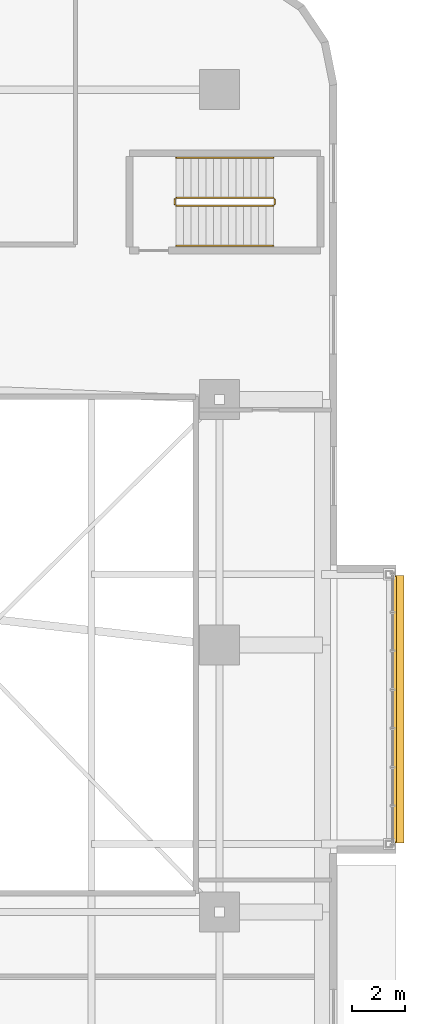
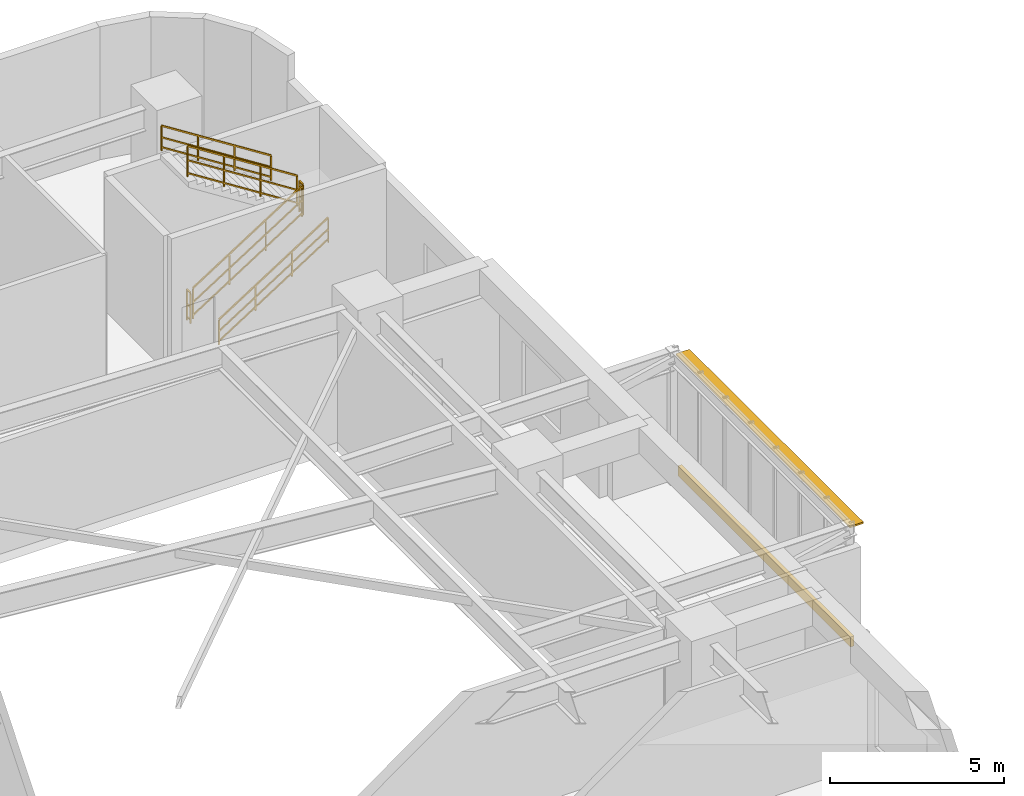
# One storey, part 26 of 26: 6 railings, 2 shading devices.
"""IFC4 building model written with IfcOpenShell, lengths in metres."""

from ifc_helpers import new_model, si_unit, direction, frame, origin, origin_2d, place, context, subcontext, project, spatial, rectangle, extrude, material, layer, layer_set, type_object, element, save


model = new_model("IFC4")

# Units and contexts
model_context = context("Model", 3, precision=1e-05, world=origin(), true_north=direction((0.0, 1.0)))
body_context = subcontext(model_context, "Body", "Model", "MODEL_VIEW")
ifc_project = project(units=[si_unit("LENGTHUNIT", "METRE"), si_unit("AREAUNIT", "SQUARE_METRE"), si_unit("VOLUMEUNIT", "CUBIC_METRE"), si_unit("PLANEANGLEUNIT", "RADIAN"), si_unit("MASSUNIT", "GRAM", prefix="KILO")], contexts=[model_context])

# Site, building, storey
site_placement = place(None, origin())
site = spatial("IfcSite", under=ifc_project, at=site_placement, CompositionType="ELEMENT")
building_placement = place(site_placement, origin())
building = spatial("IfcBuilding", under=site, at=building_placement, Name="Zulverin Broadcast Headquarters", CompositionType="ELEMENT")
storey_placement = place(building_placement, frame((0.0, 0.0, 15.0)))
storey = spatial("IfcBuildingStorey", under=building, at=storey_placement, Name="L03", CompositionType="ELEMENT", Elevation=15.0)

# Railings
ifc_material_1 = material(Name="Painted galvanized steel tubular guardrail S355JR", Category="steel")
railing_type_1 = type_object("IfcRailingType", Name="RL-ST-GUARD", PredefinedType="GUARDRAIL", material=ifc_material_1)
railing_1_placement = place(storey_placement, frame((67.969970703125, 41.64990234375, 0.178466796875)))
element("IfcRailing", 1, at=railing_1_placement, inside=storey, type_object=railing_type_1, Name="L03 ST-4 stair guard 1", PredefinedType="GUARDRAIL", context=body_context, shape_type="SweptSolid", body=[
    extrude(rectangle(XDim=0.048095703125, YDim=0.048095703125, at=origin_2d()), frame((0.0, 0.0, 1.076171875), z_axis=(0.843127859045, 0.0, 0.537713132908), x_axis=(0.0, 1.0, 0.0)), (0.0, 0.0, 1.0), 4.3173828125),
    extrude(rectangle(XDim=0.0419921875, YDim=0.0419921875, at=origin_2d()), frame((0.0, 0.0, 0.572021484375), z_axis=(0.843127859045, 0.0, 0.537713132908), x_axis=(0.0, 1.0, 0.0)), (0.0, 0.0, 1.0), 4.3173828125),
    extrude(rectangle(XDim=0.0419921875, YDim=0.0419921875, at=origin_2d()), frame((0.0, 0.0, 0.1201171875), z_axis=(0.843127859045, 0.0, 0.537713132908), x_axis=(0.0, 1.0, 0.0)), (0.0, 0.0, 1.0), 4.3173828125),
    extrude(rectangle(XDim=0.0419921875, YDim=0.0419921875, at=origin_2d()), origin(), (0.0, 0.0, 1.0), 1.052001953125),
    extrude(rectangle(XDim=0.0419921875, YDim=0.0419921875, at=origin_2d()), frame((1.21337890625, 0.0, 0.77392578125)), (0.0, 0.0, 1.0), 1.052001953125),
    extrude(rectangle(XDim=0.0419921875, YDim=0.0419921875, at=origin_2d()), frame((2.4267578125, 0.0, 1.547607421875)), (0.0, 0.0, 1.0), 1.052001953125),
    extrude(rectangle(XDim=0.0419921875, YDim=0.0419921875, at=origin_2d()), frame((3.64013671875, 0.0, 2.321533203125)), (0.0, 0.0, 1.0), 1.052001953125),
])
railing_2_placement = place(storey_placement, frame((71.659912109375, 41.699951171875, 2.5)))
element("IfcRailing", 2, at=railing_2_placement, inside=storey, type_object=railing_type_1, Name="L03 ST-4 stair guard 2", PredefinedType="GUARDRAIL", context=body_context, shape_type="SweptSolid", body=[
    extrude(rectangle(XDim=0.048095703125, YDim=0.048095703125, at=origin_2d()), frame((0.0, 0.0, 1.076171875), z_axis=(0.0, 1.0, 0.0), x_axis=(-1.0, 0.0, 0.0)), (0.0, 0.0, 1.0), 0.199951171875),
    extrude(rectangle(XDim=0.0419921875, YDim=0.0419921875, at=origin_2d()), frame((0.0, 0.0, 0.572021484375), z_axis=(0.0, 1.0, 0.0), x_axis=(-1.0, 0.0, 0.0)), (0.0, 0.0, 1.0), 0.199951171875),
    extrude(rectangle(XDim=0.0419921875, YDim=0.0419921875, at=origin_2d()), frame((0.0, 0.0, 0.1201171875), z_axis=(0.0, 1.0, 0.0), x_axis=(-1.0, 0.0, 0.0)), (0.0, 0.0, 1.0), 0.199951171875),
    extrude(rectangle(XDim=0.0419921875, YDim=0.0419921875, at=origin_2d()), origin(), (0.0, 0.0, 1.0), 1.052001953125),
    extrude(rectangle(XDim=0.0419921875, YDim=0.0419921875, at=origin_2d()), frame((0.0, 0.199951171875, 0.0)), (0.0, 0.0, 1.0), 1.052001953125),
])
railing_3_placement = place(storey_placement, frame((71.610107421875, 41.949951171875, 2.678466796875)))
element("IfcRailing", 3, at=railing_3_placement, inside=storey, type_object=railing_type_1, Name="L03 ST-4 stair guard 3", PredefinedType="GUARDRAIL", context=body_context, shape_type="SweptSolid", body=[
    extrude(rectangle(XDim=0.048095703125, YDim=0.048095703125, at=origin_2d()), frame((0.0, 0.0, 1.076171875), z_axis=(-0.843127859045, 0.0, 0.537713132908), x_axis=(0.0, -1.0, 0.0)), (0.0, 0.0, 1.0), 4.3173828125),
    extrude(rectangle(XDim=0.0419921875, YDim=0.0419921875, at=origin_2d()), frame((0.0, 0.0, 0.572021484375), z_axis=(-0.843127859045, 0.0, 0.537713132908), x_axis=(0.0, -1.0, 0.0)), (0.0, 0.0, 1.0), 4.3173828125),
    extrude(rectangle(XDim=0.0419921875, YDim=0.0419921875, at=origin_2d()), frame((0.0, 0.0, 0.1201171875), z_axis=(-0.843127859045, 0.0, 0.537713132908), x_axis=(0.0, -1.0, 0.0)), (0.0, 0.0, 1.0), 4.3173828125),
    extrude(rectangle(XDim=0.0419921875, YDim=0.0419921875, at=origin_2d()), origin(), (0.0, 0.0, 1.0), 1.052001953125),
    extrude(rectangle(XDim=0.0419921875, YDim=0.0419921875, at=origin_2d()), frame((-1.21337890625, 0.0, 0.77392578125)), (0.0, 0.0, 1.0), 1.052001953125),
    extrude(rectangle(XDim=0.0419921875, YDim=0.0419921875, at=origin_2d()), frame((-2.4267578125, 0.0, 1.547607421875)), (0.0, 0.0, 1.0), 1.052001953125),
    extrude(rectangle(XDim=0.0419921875, YDim=0.0419921875, at=origin_2d()), frame((-3.64013671875, 0.0, 2.321533203125)), (0.0, 0.0, 1.0), 1.052001953125),
])
railing_4_placement = place(storey_placement, frame((67.919921875, 41.699951171875, 0.0)))
element("IfcRailing", 4, at=railing_4_placement, inside=storey, type_object=railing_type_1, Name="L03 ST-4 stair guard 4", PredefinedType="GUARDRAIL", context=body_context, shape_type="SweptSolid", body=[
    extrude(rectangle(XDim=0.048095703125, YDim=0.048095703125, at=origin_2d()), frame((0.0, 0.0, 1.076171875), z_axis=(0.0, 1.0, 0.0), x_axis=(-1.0, 0.0, 0.0)), (0.0, 0.0, 1.0), 0.199951171875),
    extrude(rectangle(XDim=0.0419921875, YDim=0.0419921875, at=origin_2d()), frame((0.0, 0.0, 0.572021484375), z_axis=(0.0, 1.0, 0.0), x_axis=(-1.0, 0.0, 0.0)), (0.0, 0.0, 1.0), 0.199951171875),
    extrude(rectangle(XDim=0.0419921875, YDim=0.0419921875, at=origin_2d()), frame((0.0, 0.0, 0.1201171875), z_axis=(0.0, 1.0, 0.0), x_axis=(-1.0, 0.0, 0.0)), (0.0, 0.0, 1.0), 0.199951171875),
    extrude(rectangle(XDim=0.0419921875, YDim=0.0419921875, at=origin_2d()), origin(), (0.0, 0.0, 1.0), 1.052001953125),
    extrude(rectangle(XDim=0.0419921875, YDim=0.0419921875, at=origin_2d()), frame((0.0, 0.199951171875, 0.0)), (0.0, 0.0, 1.0), 1.052001953125),
])
ifc_material_2 = material(Name="Brushed stainless steel 48 mm handrail", Category="steel")
railing_type_2 = type_object("IfcRailingType", Name="RL-ST-HAND", PredefinedType="HANDRAIL", material=ifc_material_2)
railing_5_placement = place(storey_placement, frame((67.969970703125, 40.14990234375, 0.178466796875)))
element("IfcRailing", 5, at=railing_5_placement, inside=storey, type_object=railing_type_2, Name="L03 ST-4 stair handrail 1", PredefinedType="HANDRAIL", context=body_context, shape_type="SweptSolid", body=[
    extrude(rectangle(XDim=0.048095703125, YDim=0.048095703125, at=origin_2d()), frame((0.0, 0.0, 0.8759765625), z_axis=(0.843127859045, 0.0, 0.537713132908), x_axis=(0.0, 1.0, 0.0)), (0.0, 0.0, 1.0), 4.3173828125),
    extrude(rectangle(XDim=0.0419921875, YDim=0.0419921875, at=origin_2d()), frame((0.0, 0.0, 0.468017578125), z_axis=(0.843127859045, 0.0, 0.537713132908), x_axis=(0.0, 1.0, 0.0)), (0.0, 0.0, 1.0), 4.3173828125),
    extrude(rectangle(XDim=0.0419921875, YDim=0.0419921875, at=origin_2d()), frame((0.0, 0.0, 0.1201171875), z_axis=(0.843127859045, 0.0, 0.537713132908), x_axis=(0.0, 1.0, 0.0)), (0.0, 0.0, 1.0), 4.3173828125),
    extrude(rectangle(XDim=0.0419921875, YDim=0.0419921875, at=origin_2d()), origin(), (0.0, 0.0, 1.0), 0.851806640625),
    extrude(rectangle(XDim=0.0419921875, YDim=0.0419921875, at=origin_2d()), frame((1.21337890625, 0.0, 0.77392578125)), (0.0, 0.0, 1.0), 0.851806640625),
    extrude(rectangle(XDim=0.0419921875, YDim=0.0419921875, at=origin_2d()), frame((2.4267578125, 0.0, 1.547607421875)), (0.0, 0.0, 1.0), 0.851806640625),
    extrude(rectangle(XDim=0.0419921875, YDim=0.0419921875, at=origin_2d()), frame((3.64013671875, 0.0, 2.321533203125)), (0.0, 0.0, 1.0), 0.851806640625),
])
railing_6_placement = place(storey_placement, frame((71.610107421875, 43.449951171875, 2.678466796875)))
element("IfcRailing", 6, at=railing_6_placement, inside=storey, type_object=railing_type_2, Name="L03 ST-4 stair handrail 2", PredefinedType="HANDRAIL", context=body_context, shape_type="SweptSolid", body=[
    extrude(rectangle(XDim=0.048095703125, YDim=0.048095703125, at=origin_2d()), frame((0.0, 0.0, 0.8759765625), z_axis=(-0.843127859045, 0.0, 0.537713132908), x_axis=(0.0, -1.0, 0.0)), (0.0, 0.0, 1.0), 4.3173828125),
    extrude(rectangle(XDim=0.0419921875, YDim=0.0419921875, at=origin_2d()), frame((0.0, 0.0, 0.468017578125), z_axis=(-0.843127859045, 0.0, 0.537713132908), x_axis=(0.0, -1.0, 0.0)), (0.0, 0.0, 1.0), 4.3173828125),
    extrude(rectangle(XDim=0.0419921875, YDim=0.0419921875, at=origin_2d()), frame((0.0, 0.0, 0.1201171875), z_axis=(-0.843127859045, 0.0, 0.537713132908), x_axis=(0.0, -1.0, 0.0)), (0.0, 0.0, 1.0), 4.3173828125),
    extrude(rectangle(XDim=0.0419921875, YDim=0.0419921875, at=origin_2d()), origin(), (0.0, 0.0, 1.0), 0.851806640625),
    extrude(rectangle(XDim=0.0419921875, YDim=0.0419921875, at=origin_2d()), frame((-1.21337890625, 0.0, 0.77392578125)), (0.0, 0.0, 1.0), 0.851806640625),
    extrude(rectangle(XDim=0.0419921875, YDim=0.0419921875, at=origin_2d()), frame((-2.4267578125, 0.0, 1.547607421875)), (0.0, 0.0, 1.0), 0.851806640625),
    extrude(rectangle(XDim=0.0419921875, YDim=0.0419921875, at=origin_2d()), frame((-3.64013671875, 0.0, 2.321533203125)), (0.0, 0.0, 1.0), 0.851806640625),
])

# Shading devices
ifc_material_3 = material(Name="Anodized pale-metal aluminium acoustic louvre", Category="aluminium")
shading_device_type_1 = type_object("IfcShadingDeviceType", Name="SHD-LOUVRE-350", PredefinedType="USERDEFINED", material=ifc_material_3)
shading_device_1_placement = place(storey_placement, frame((76.159912109375, 22.800048828125, 0.224853515625), z_axis=(0.0, 0.0, 1.0), x_axis=(0.0, 1.0, 0.0)))
element("IfcShadingDevice", 7, at=shading_device_1_placement, inside=storey, type_object=shading_device_type_1, Name="L03 Pale-Metal Acoustic Louvre Screen CW-L03-SBOX_POD_UPPER_E1-F", ObjectType="LOUVRE", PredefinedType="USERDEFINED", context=body_context, shape_type="SweptSolid", body=[
    extrude(rectangle(XDim=9.93994140625, YDim=0.1201171875, at=origin_2d()), origin(), (0.0, 0.0, 1.0), 0.35009765625),
])
ifc_material_4 = material(Name="Anodized pale-metal aluminium sunshade", Category="aluminium")
ifc_layer = layer(ifc_material_4, 0.06005859375, Name="Anodized pale-metal aluminium sunshade", Category="aluminium")
ifc_layer_set = layer_set([ifc_layer], Name="Anodized pale-metal aluminium sunshade")
shading_device_type_2 = type_object("IfcShadingDeviceType", Name="SS-01_PALE_METAL_ALUMINIUM_SUNSHADE", PredefinedType="USERDEFINED", material=ifc_layer_set)
shading_device_2_placement = place(storey_placement, frame((76.280029296875, 22.800048828125, 4.449951171875), z_axis=(0.0, 0.0, 1.0), x_axis=(0.0, 1.0, 0.0)))
element("IfcShadingDevice", 8, at=shading_device_2_placement, inside=storey, type_object=shading_device_type_2, Name="L03 Pale-Metal Horizontal Sunshade Band CW-L03-SBOX_POD_UPPER_E1-F", ObjectType="SUNSHADE", PredefinedType="USERDEFINED", context=body_context, shape_type="SweptSolid", body=[
    extrude(rectangle(XDim=10.02001953125, YDim=0.449951171875, at=origin_2d()), origin(), (0.0, 0.0, 1.0), 0.06005859375),
])

save(model, "model.ifc")
